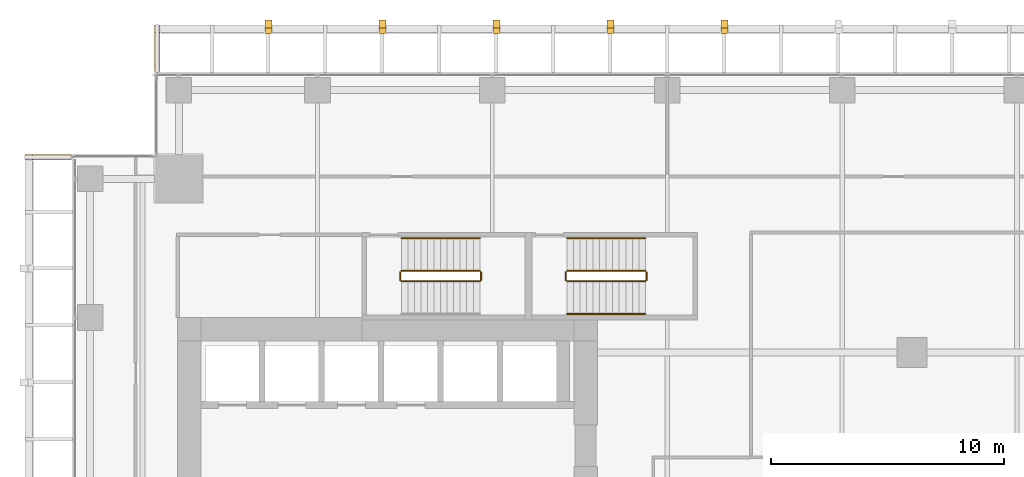
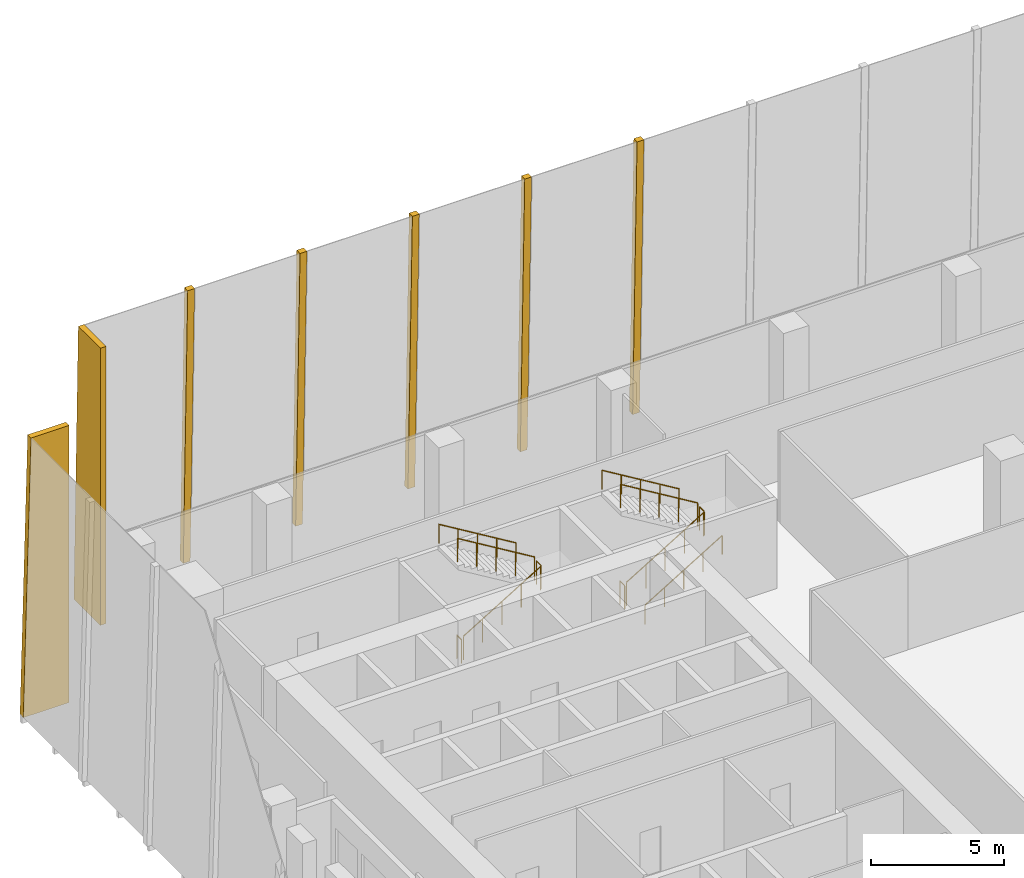
# One storey, part 33 of 35: 11 railings, 7 coverings.
"""IFC4 building model written with IfcOpenShell, lengths in metres."""

from ifc_helpers import new_model, si_unit, direction, frame, origin, origin_2d, place, context, subcontext, project, spatial, polyline, circle, outline, extrude, source, transform, mapped, material, layer, layer_set, type_object, element, save


model = new_model("IFC4")

# Units and contexts
model_context = context("Model", 3, precision=1e-05, world=origin(), true_north=direction((0.0, 1.0)))
body_context = subcontext(model_context, "Body", "Model", "MODEL_VIEW")
ifc_project = project(units=[si_unit("LENGTHUNIT", "METRE"), si_unit("AREAUNIT", "SQUARE_METRE"), si_unit("VOLUMEUNIT", "CUBIC_METRE"), si_unit("PLANEANGLEUNIT", "RADIAN"), si_unit("MASSUNIT", "GRAM", prefix="KILO")], contexts=[model_context])

# Site, building, storey
site_placement = place(None, origin())
site = spatial("IfcSite", under=ifc_project, at=site_placement, CompositionType="ELEMENT")
building_placement = place(site_placement, origin())
building = spatial("IfcBuilding", under=site, at=building_placement, Name="Khomas Fold Tower", CompositionType="ELEMENT")
storey_placement = place(building_placement, frame((0.0, 0.0, 127.89990234375)))
storey = spatial("IfcBuildingStorey", under=building, at=storey_placement, Name="L27", CompositionType="ELEMENT", Elevation=127.89990234375)

# Coverings
ifc_material_1 = material(Name="Natural stone cladding", Category="masonry")
ifc_layer = layer(ifc_material_1, 0.25)
ifc_layer_set = layer_set([ifc_layer], Name="Natural stone cladding")
covering_type = type_object("IfcCoveringType", Name="SK-Karibib marble stone mullion", PredefinedType="CLADDING", material=ifc_layer_set)
for number, where, z_axis, x_axis, name in (
    (1, (9.73876953125, 54.758544921875, 0.006591796875), (0.0, 0.999657592188, 0.026166741891), (1.0, 0.0, 0.0), "OUTER SKIN mullion L27 N2"),
    (2, (14.627685546875, 54.758544921875, 0.006591796875), (0.0, 0.999657592188, 0.026166741891), (1.0, 0.0, 0.0), "OUTER SKIN mullion L27 N4"),
    (3, (19.5166015625, 54.758544921875, 0.006591796875), (0.0, 0.999657592188, 0.026166741891), (1.0, 0.0, 0.0), "OUTER SKIN mullion L27 N6"),
    (4, (24.405517578125, 54.758544921875, 0.006591796875), (0.0, 0.999657592188, 0.026166741891), (1.0, 0.0, 0.0), "OUTER SKIN mullion L27 N8"),
    (5, (29.29443359375, 54.758544921875, 0.006591796875), (0.0, 0.999657592188, 0.026166741891), (1.0, 0.0, 0.0), "OUTER SKIN mullion L27 N10"),
):
    element("IfcCovering", number, at=place(storey_placement, frame(where, z_axis=z_axis, x_axis=x_axis)), inside=storey, type_object=covering_type, Name=name, PredefinedType="CLADDING", context=body_context, shape_type="SweptSolid", body=[
        extrude(outline(polyline([(0.0, 0.0), (0.300048828125, 0.0), (0.300048828125, -12.754367194966619), (0.0, -12.754367194966619), (0.0, 0.0)])), origin(), (0.0, 0.0, -1.0), 0.25),
    ])
covering_1_placement = place(storey_placement, frame((5.0, 52.550048828125, 12.75), z_axis=(-1.0, 0.0, 0.0), x_axis=(0.0, 1.0, 0.0)))
element("IfcCovering", 6, at=covering_1_placement, inside=storey, type_object=covering_type, Name="OUTER SKIN return L27 N1", PredefinedType="CLADDING", context=body_context, shape_type="SweptSolid", body=[
    extrude(outline(polyline([(0.0, 0.0), (1.664794921875, 0.0), (1.99853515625, 12.75), (0.0, 12.75), (0.0, 0.0)])), origin(), (0.0, 0.0, -1.0), 0.25),
])
covering_2_placement = place(storey_placement, frame((1.449951171875, 49.0, 0.0), z_axis=(0.0, 1.0, 0.0), x_axis=(-1.0, 0.0, 0.0)))
element("IfcCovering", 7, at=covering_2_placement, inside=storey, type_object=covering_type, Name="OUTER SKIN return L27 W2", PredefinedType="CLADDING", context=body_context, shape_type="SweptSolid", body=[
    extrude(outline(polyline([(0.0, 0.0), (1.99853515625, 0.0), (1.664794921875, 12.75), (0.0, 12.75), (0.0, 0.0)])), origin(), (0.0, 0.0, -1.0), 0.25),
])

# Railings
ifc_material_2 = material(Name="Steel balustrade", Category="steel")
railing_type_1 = type_object("IfcRailingType", Name="Stair guard", PredefinedType="GUARDRAIL", material=ifc_material_2)
shared_shape_1 = source(origin(), body_context, "Body", "SweptSolid", [
    extrude(circle(Radius=0.02392578125, at=origin_2d()), frame((0.0, 0.0, 1.076171875), z_axis=(0.0, 1.0, 0.0), x_axis=(-1.0, 0.0, 0.0)), (0.0, 0.0, 1.0), 0.349853515625),
    extrude(circle(Radius=0.02099609375, at=origin_2d()), origin(), (0.0, 0.0, 1.0), 1.052001953125),
    extrude(circle(Radius=0.02099609375, at=origin_2d()), frame((0.0, 0.349853515625, 0.0)), (0.0, 0.0, 1.0), 1.052001953125),
])
for number, where, name in (
    (8, (19.010009765625, 43.60009765625, 2.2001953125), "L27 ST1 stair guard 2"),
    (9, (15.550048828125, 43.60009765625, 0.0), "L27 ST1 stair guard 4"),
    (10, (26.110107421875, 43.60009765625, 2.2001953125), "L27 ST3 stair guard 2"),
    (11, (22.64990234375, 43.60009765625, 0.0), "L27 ST3 stair guard 4"),
):
    element("IfcRailing", number, at=place(storey_placement, frame(where)), inside=storey, type_object=railing_type_1, Name=name, PredefinedType="GUARDRAIL", context=body_context, shape_type="MappedRepresentation", body=[
        mapped(shared_shape_1, transform((0.0, 0.0, 0.0))),
    ])
shared_shape_2 = source(origin(), body_context, "Body", "SweptSolid", [
    extrude(circle(Radius=0.02392578125, at=origin_2d()), frame((0.0, 0.0, 1.076171875), z_axis=(0.855820338506, 0.0, 0.51727318527), x_axis=(0.0, 1.0, 0.0)), (0.0, 0.0, 1.0), 3.92578125),
    extrude(circle(Radius=0.02099609375, at=origin_2d()), origin(), (0.0, 0.0, 1.0), 1.052001953125),
    extrude(circle(Radius=0.02099609375, at=origin_2d()), frame((0.83984375, 0.0, 0.5078125)), (0.0, 0.0, 1.0), 1.052001953125),
    extrude(circle(Radius=0.02099609375, at=origin_2d()), frame((1.679931640625, 0.0, 1.015380859375)), (0.0, 0.0, 1.0), 1.052001953125),
    extrude(circle(Radius=0.02099609375, at=origin_2d()), frame((2.52001953125, 0.0, 1.52294921875)), (0.0, 0.0, 1.0), 1.052001953125),
    extrude(circle(Radius=0.02099609375, at=origin_2d()), frame((3.35986328125, 0.0, 2.03076171875)), (0.0, 0.0, 1.0), 1.052001953125),
])
railing_1_placement = place(storey_placement, frame((15.60009765625, 43.550048828125, 0.16943359375)))
element("IfcRailing", 12, at=railing_1_placement, inside=storey, type_object=railing_type_1, Name="L27 ST1 stair guard 1", PredefinedType="GUARDRAIL", context=body_context, shape_type="MappedRepresentation", body=[
    mapped(shared_shape_2, transform((0.0, 0.0, 0.0))),
])
shared_shape_3 = source(origin(), body_context, "Body", "SweptSolid", [
    extrude(circle(Radius=0.02392578125, at=origin_2d()), frame((0.0, 0.0, 1.076171875), z_axis=(-0.855820338506, 0.0, 0.51727318527), x_axis=(0.0, -1.0, 0.0)), (0.0, 0.0, 1.0), 3.92578125),
    extrude(circle(Radius=0.02099609375, at=origin_2d()), origin(), (0.0, 0.0, 1.0), 1.052001953125),
    extrude(circle(Radius=0.02099609375, at=origin_2d()), frame((-0.83984375, 0.0, 0.5078125)), (0.0, 0.0, 1.0), 1.052001953125),
    extrude(circle(Radius=0.02099609375, at=origin_2d()), frame((-1.679931640625, 0.0, 1.015380859375)), (0.0, 0.0, 1.0), 1.052001953125),
    extrude(circle(Radius=0.02099609375, at=origin_2d()), frame((-2.52001953125, 0.0, 1.52294921875)), (0.0, 0.0, 1.0), 1.052001953125),
    extrude(circle(Radius=0.02099609375, at=origin_2d()), frame((-3.35986328125, 0.0, 2.03076171875)), (0.0, 0.0, 1.0), 1.052001953125),
])
railing_2_placement = place(storey_placement, frame((18.9599609375, 44.0, 2.369384765625)))
element("IfcRailing", 13, at=railing_2_placement, inside=storey, type_object=railing_type_1, Name="L27 ST1 stair guard 3", PredefinedType="GUARDRAIL", context=body_context, shape_type="MappedRepresentation", body=[
    mapped(shared_shape_3, transform((0.0, 0.0, 0.0))),
])
ifc_material_3 = material(Name="Steel handrail", Category="steel")
railing_type_2 = type_object("IfcRailingType", Name="Stair handrail", PredefinedType="HANDRAIL", material=ifc_material_3)
shared_shape_4 = source(origin(), body_context, "Body", "SweptSolid", [
    extrude(circle(Radius=0.02392578125, at=origin_2d()), frame((0.0, 0.0, 0.8759765625), z_axis=(-0.855820338506, 0.0, 0.51727318527), x_axis=(0.0, -1.0, 0.0)), (0.0, 0.0, 1.0), 3.92578125),
    extrude(circle(Radius=0.02099609375, at=origin_2d()), origin(), (0.0, 0.0, 1.0), 0.851806640625),
    extrude(circle(Radius=0.02099609375, at=origin_2d()), frame((-0.83984375, 0.0, 0.5078125)), (0.0, 0.0, 1.0), 0.851806640625),
    extrude(circle(Radius=0.02099609375, at=origin_2d()), frame((-1.679931640625, 0.0, 1.015380859375)), (0.0, 0.0, 1.0), 0.851806640625),
    extrude(circle(Radius=0.02099609375, at=origin_2d()), frame((-2.52001953125, 0.0, 1.52294921875)), (0.0, 0.0, 1.0), 0.851806640625),
    extrude(circle(Radius=0.02099609375, at=origin_2d()), frame((-3.35986328125, 0.0, 2.03076171875)), (0.0, 0.0, 1.0), 0.851806640625),
])
railing_3_placement = place(storey_placement, frame((18.9599609375, 45.39990234375, 2.369384765625)))
element("IfcRailing", 14, at=railing_3_placement, inside=storey, type_object=railing_type_2, Name="L27 ST1 stair handrail 2", PredefinedType="HANDRAIL", context=body_context, shape_type="MappedRepresentation", body=[
    mapped(shared_shape_4, transform((0.0, 0.0, 0.0))),
])
shared_shape_5 = source(origin(), body_context, "Body", "SweptSolid", [
    extrude(circle(Radius=0.02392578125, at=origin_2d()), frame((0.0, 0.0, 1.076171875), z_axis=(0.855836976705, 0.0, 0.517245656632), x_axis=(0.0, 1.0, 0.0)), (0.0, 0.0, 1.0), 3.926025390625),
    extrude(circle(Radius=0.02099609375, at=origin_2d()), origin(), (0.0, 0.0, 1.0), 1.052001953125),
    extrude(circle(Radius=0.02099609375, at=origin_2d()), frame((0.840087890625, 0.0, 0.5078125)), (0.0, 0.0, 1.0), 1.052001953125),
    extrude(circle(Radius=0.02099609375, at=origin_2d()), frame((1.68017578125, 0.0, 1.015380859375)), (0.0, 0.0, 1.0), 1.052001953125),
    extrude(circle(Radius=0.02099609375, at=origin_2d()), frame((2.52001953125, 0.0, 1.52294921875)), (0.0, 0.0, 1.0), 1.052001953125),
    extrude(circle(Radius=0.02099609375, at=origin_2d()), frame((3.360107421875, 0.0, 2.03076171875)), (0.0, 0.0, 1.0), 1.052001953125),
])
railing_4_placement = place(storey_placement, frame((22.699951171875, 43.550048828125, 0.16943359375)))
element("IfcRailing", 15, at=railing_4_placement, inside=storey, type_object=railing_type_1, Name="L27 ST3 stair guard 1", PredefinedType="GUARDRAIL", context=body_context, shape_type="MappedRepresentation", body=[
    mapped(shared_shape_5, transform((0.0, 0.0, 0.0))),
])
shared_shape_6 = source(origin(), body_context, "Body", "SweptSolid", [
    extrude(circle(Radius=0.02392578125, at=origin_2d()), frame((0.0, 0.0, 1.076171875), z_axis=(-0.855836976705, 0.0, 0.517245656632), x_axis=(0.0, -1.0, 0.0)), (0.0, 0.0, 1.0), 3.926025390625),
    extrude(circle(Radius=0.02099609375, at=origin_2d()), origin(), (0.0, 0.0, 1.0), 1.052001953125),
    extrude(circle(Radius=0.02099609375, at=origin_2d()), frame((-0.840087890625, 0.0, 0.5078125)), (0.0, 0.0, 1.0), 1.052001953125),
    extrude(circle(Radius=0.02099609375, at=origin_2d()), frame((-1.68017578125, 0.0, 1.015380859375)), (0.0, 0.0, 1.0), 1.052001953125),
    extrude(circle(Radius=0.02099609375, at=origin_2d()), frame((-2.52001953125, 0.0, 1.52294921875)), (0.0, 0.0, 1.0), 1.052001953125),
    extrude(circle(Radius=0.02099609375, at=origin_2d()), frame((-3.360107421875, 0.0, 2.03076171875)), (0.0, 0.0, 1.0), 1.052001953125),
])
railing_5_placement = place(storey_placement, frame((26.06005859375, 44.0, 2.369384765625)))
element("IfcRailing", 16, at=railing_5_placement, inside=storey, type_object=railing_type_1, Name="L27 ST3 stair guard 3", PredefinedType="GUARDRAIL", context=body_context, shape_type="MappedRepresentation", body=[
    mapped(shared_shape_6, transform((0.0, 0.0, 0.0))),
])
shared_shape_7 = source(origin(), body_context, "Body", "SweptSolid", [
    extrude(circle(Radius=0.02392578125, at=origin_2d()), frame((0.0, 0.0, 0.8759765625), z_axis=(0.855836976705, 0.0, 0.517245656632), x_axis=(0.0, 1.0, 0.0)), (0.0, 0.0, 1.0), 3.926025390625),
    extrude(circle(Radius=0.02099609375, at=origin_2d()), origin(), (0.0, 0.0, 1.0), 0.851806640625),
    extrude(circle(Radius=0.02099609375, at=origin_2d()), frame((0.840087890625, 0.0, 0.5078125)), (0.0, 0.0, 1.0), 0.851806640625),
    extrude(circle(Radius=0.02099609375, at=origin_2d()), frame((1.68017578125, 0.0, 1.015380859375)), (0.0, 0.0, 1.0), 0.851806640625),
    extrude(circle(Radius=0.02099609375, at=origin_2d()), frame((2.52001953125, 0.0, 1.52294921875)), (0.0, 0.0, 1.0), 0.851806640625),
    extrude(circle(Radius=0.02099609375, at=origin_2d()), frame((3.360107421875, 0.0, 2.03076171875)), (0.0, 0.0, 1.0), 0.851806640625),
])
railing_6_placement = place(storey_placement, frame((22.699951171875, 42.14990234375, 0.16943359375)))
element("IfcRailing", 17, at=railing_6_placement, inside=storey, type_object=railing_type_2, Name="L27 ST3 stair handrail 1", PredefinedType="HANDRAIL", context=body_context, shape_type="MappedRepresentation", body=[
    mapped(shared_shape_7, transform((0.0, 0.0, 0.0))),
])
shared_shape_8 = source(origin(), body_context, "Body", "SweptSolid", [
    extrude(circle(Radius=0.02392578125, at=origin_2d()), frame((0.0, 0.0, 0.8759765625), z_axis=(-0.855836976705, 0.0, 0.517245656632), x_axis=(0.0, -1.0, 0.0)), (0.0, 0.0, 1.0), 3.926025390625),
    extrude(circle(Radius=0.02099609375, at=origin_2d()), origin(), (0.0, 0.0, 1.0), 0.851806640625),
    extrude(circle(Radius=0.02099609375, at=origin_2d()), frame((-0.840087890625, 0.0, 0.5078125)), (0.0, 0.0, 1.0), 0.851806640625),
    extrude(circle(Radius=0.02099609375, at=origin_2d()), frame((-1.68017578125, 0.0, 1.015380859375)), (0.0, 0.0, 1.0), 0.851806640625),
    extrude(circle(Radius=0.02099609375, at=origin_2d()), frame((-2.52001953125, 0.0, 1.52294921875)), (0.0, 0.0, 1.0), 0.851806640625),
    extrude(circle(Radius=0.02099609375, at=origin_2d()), frame((-3.360107421875, 0.0, 2.03076171875)), (0.0, 0.0, 1.0), 0.851806640625),
])
railing_7_placement = place(storey_placement, frame((26.06005859375, 45.39990234375, 2.369384765625)))
element("IfcRailing", 18, at=railing_7_placement, inside=storey, type_object=railing_type_2, Name="L27 ST3 stair handrail 2", PredefinedType="HANDRAIL", context=body_context, shape_type="MappedRepresentation", body=[
    mapped(shared_shape_8, transform((0.0, 0.0, 0.0))),
])

save(model, "model.ifc")
